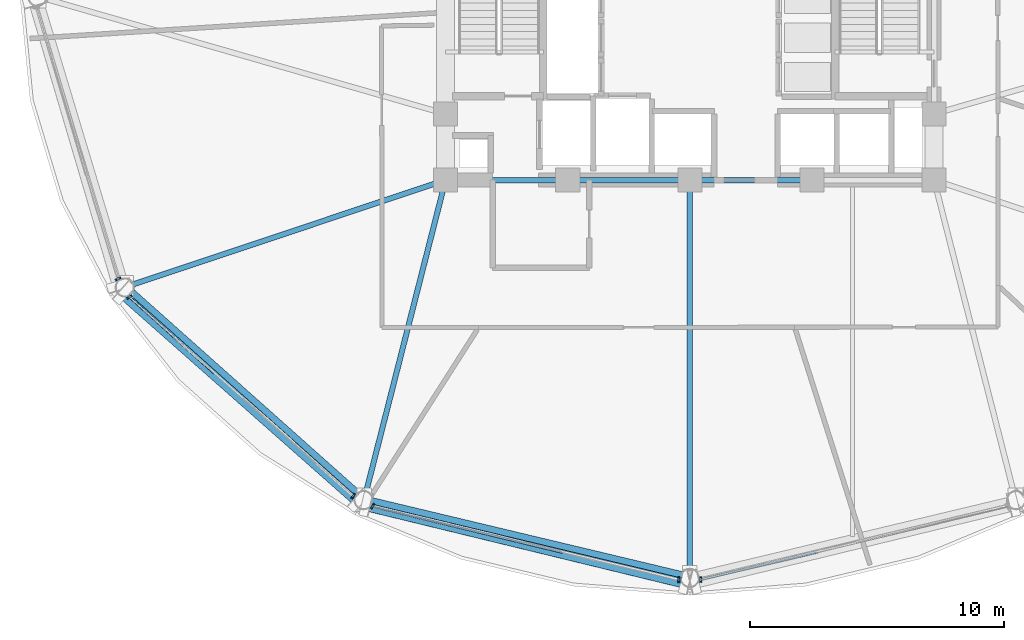
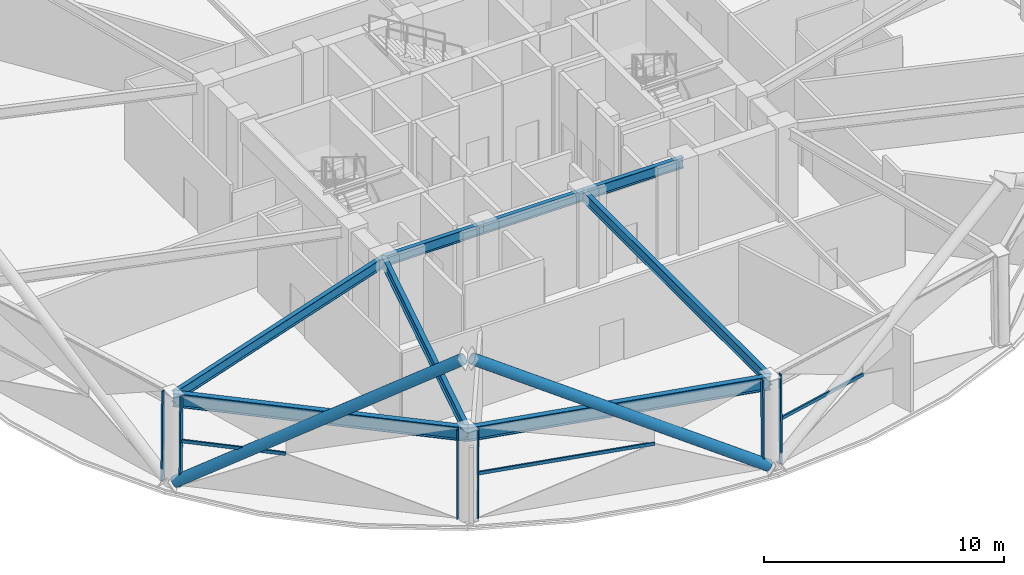
# One storey, part 2 of 17: 11 members, 8 beams, 4 elements without a shape of their own.
"""IFC4 building model written with IfcOpenShell, lengths in metres."""

from ifc_helpers import new_model, si_unit, direction, frame, origin, origin_2d, place, context, subcontext, project, spatial, hollow_rectangle, hollow_circle, i_section, extrude, material, layer, layer_set, material_profile, profile_set, type_object, element, aggregate, save


model = new_model("IFC4")

# Units and contexts
model_context = context("Model", 3, precision=1e-05, world=origin(), true_north=direction((0.0, 1.0)))
body_context = subcontext(model_context, "Body", "Model", "MODEL_VIEW")
ifc_project = project(units=[si_unit("LENGTHUNIT", "METRE"), si_unit("AREAUNIT", "SQUARE_METRE"), si_unit("VOLUMEUNIT", "CUBIC_METRE"), si_unit("PLANEANGLEUNIT", "RADIAN"), si_unit("MASSUNIT", "GRAM", prefix="KILO")], contexts=[model_context])

# Site, building, storey
site_placement = place(None, origin())
site = spatial("IfcSite", under=ifc_project, at=site_placement, CompositionType="ELEMENT")
building_placement = place(site_placement, origin())
building = spatial("IfcBuilding", under=site, at=building_placement, Name="Vantalir Tower", CompositionType="ELEMENT")
storey_placement = place(building_placement, frame((0.0, 0.0, 96.14990234375)))
storey = spatial("IfcBuildingStorey", under=building, at=storey_placement, Name="L23", CompositionType="ELEMENT", Elevation=96.14990234375)

# Beams
ifc_material_1 = material(Name="Steel S355", Category="steel")
ifc_material_profile_1 = material_profile(ifc_material_1, i_section(OverallWidth=0.2109375, OverallDepth=0.5390625, WebThickness=0.01171875, FlangeThickness=0.018798828125, at=origin_2d()), Name="Steel S355")
ifc_profile_set_1 = profile_set([ifc_material_profile_1], Name="Steel S355")
beam_type_1 = type_object("IfcBeamType", Name="BM-RB-533x210", PredefinedType="BEAM", material=ifc_profile_set_1)
for number, where, z_axis, x_axis, name in (
    (1, (21.89990234375, 17.800048828125, 4.35009765625), (1.0, 0.0, 0.0), (0.0, 1.0, 0.0), "L23 Core Coupling Girder 01"),
    (2, (26.699951171875, 17.800048828125, 4.35009765625), (1.0, 0.0, 0.0), (0.0, 1.0, 0.0), "L23 Core Coupling Girder 02"),
    (3, (31.5, 17.800048828125, 4.35009765625), (1.0, 0.0, 0.0), (0.0, 1.0, 0.0), "L23 Core Coupling Girder 03"),
):
    element("IfcBeam", number, at=place(storey_placement, frame(where, z_axis=z_axis, x_axis=x_axis)), inside=storey, type_object=beam_type_1, Name=name, PredefinedType="BEAM", context=body_context, shape_type="SweptSolid", body=[
        extrude(i_section(OverallWidth=0.2109375, OverallDepth=0.5390625, WebThickness=0.01171875, FlangeThickness=0.018798828125, at=origin_2d()), origin(), (0.0, 0.0, 1.0), 4.800048828125),
    ])
beam_1_placement = place(storey_placement, frame((9.340087890625, 13.60595703125, 4.35009765625), z_axis=(0.948513537224, 0.316736593565, 0.0), x_axis=(-0.316736593565, 0.948513537224, 0.0)))
element("IfcBeam", 4, at=beam_1_placement, inside=storey, type_object=beam_type_1, Name="L23 Radial Floor Beam 08", PredefinedType="BEAM", context=body_context, shape_type="SweptSolid", body=[
    extrude(i_section(OverallWidth=0.2109375, OverallDepth=0.5390625, WebThickness=0.01171875, FlangeThickness=0.018798828125, at=origin_2d()), origin(), (0.0, 0.0, 1.0), 13.241455078125),
])
beam_2_placement = place(storey_placement, frame((18.7060546875, 5.264892578125, 4.35009765625), z_axis=(0.246902931602, 0.969040217105, 0.0), x_axis=(-0.969040217105, 0.246902931602, 0.0)))
element("IfcBeam", 5, at=beam_2_placement, inside=storey, type_object=beam_type_1, Name="L23 Radial Floor Beam 09", PredefinedType="BEAM", context=body_context, shape_type="SweptSolid", body=[
    extrude(i_section(OverallWidth=0.2109375, OverallDepth=0.5390625, WebThickness=0.01171875, FlangeThickness=0.018798828125, at=origin_2d()), origin(), (0.0, 0.0, 1.0), 12.935546875),
])
beam_3_placement = place(storey_placement, frame((31.5, 2.2119140625, 4.35009765625), z_axis=(0.0, 1.0, 0.0), x_axis=(-1.0, 0.0, 0.0)))
element("IfcBeam", 6, at=beam_3_placement, inside=storey, type_object=beam_type_1, Name="L23 Radial Floor Beam 10", PredefinedType="BEAM", context=body_context, shape_type="SweptSolid", body=[
    extrude(i_section(OverallWidth=0.2109375, OverallDepth=0.5390625, WebThickness=0.01171875, FlangeThickness=0.018798828125, at=origin_2d()), origin(), (0.0, 0.0, 1.0), 15.588134765625),
])
ifc_material_2 = material(Name="Steel S460", Category="steel")
ifc_material_profile_2 = material_profile(ifc_material_2, i_section(OverallWidth=0.256103515625, OverallDepth=0.693115234375, WebThickness=0.014404296875, FlangeThickness=0.023681640625, at=origin_2d()), Name="Steel S460")
ifc_profile_set_2 = profile_set([ifc_material_profile_2], Name="Steel S460")
beam_type_2 = type_object("IfcBeamType", Name="BM-RG-686x254", PredefinedType="USERDEFINED", material=ifc_profile_set_2)
beam_4_placement = place(storey_placement, frame((9.340087890625, 13.60595703125, 4.273193359375), z_axis=(0.746784993974, -0.665065540211, 0.0), x_axis=(0.665065540211, 0.746784993974, 0.0)))
element("IfcBeam", 7, at=beam_4_placement, inside=storey, type_object=beam_type_2, Name="L23 Circumferential Ring Girder 08", ObjectType="GIRDER", PredefinedType="USERDEFINED", context=body_context, shape_type="SweptSolid", body=[
    extrude(i_section(OverallWidth=0.256103515625, OverallDepth=0.693115234375, WebThickness=0.014404296875, FlangeThickness=0.023681640625, at=origin_2d()), origin(), (0.0, 0.0, 1.0), 12.541748046875),
])
beam_5_placement = place(storey_placement, frame((18.7060546875, 5.264892578125, 4.273193359375), z_axis=(0.972689585219, -0.232109824883, 0.0), x_axis=(0.232109824883, 0.972689585219, 0.0)))
element("IfcBeam", 8, at=beam_5_placement, inside=storey, type_object=beam_type_2, Name="L23 Circumferential Ring Girder 09", ObjectType="GIRDER", PredefinedType="USERDEFINED", context=body_context, shape_type="SweptSolid", body=[
    extrude(i_section(OverallWidth=0.256103515625, OverallDepth=0.693115234375, WebThickness=0.014404296875, FlangeThickness=0.023681640625, at=origin_2d()), origin(), (0.0, 0.0, 1.0), 13.153076171875),
])

# Curtain wall, member
ifc_material_3 = material(Name="Champagne-silver PVDF aluminium and double-silver Low-E glass", Category="aluminium")
ifc_layer = layer(ifc_material_3, 0.22998046875)
ifc_layer_set = layer_set([ifc_layer], Name="Champagne-silver PVDF aluminium and double-silver Low-E glass")
curtain_wall_type = type_object("IfcCurtainWallType", Name="CW-SKYLOBBY", PredefinedType="USERDEFINED", material=ifc_layer_set)
curtain_wall_1_placement = place(storey_placement, origin())
curtain_wall_1 = element("IfcCurtainWall", 9, at=curtain_wall_1_placement, inside=storey, type_object=curtain_wall_type, Name="L23 Quilted Pyramid-Diamond Curtain Wall S07", ObjectType="UNITISED CURTAIN WALL", PredefinedType="USERDEFINED")
ifc_material_4 = material(Name="Champagne-silver PVDF aluminium 6063-T6", Category="aluminium")
ifc_material_profile_3 = material_profile(ifc_material_4, hollow_rectangle(XDim=0.074951171875, YDim=0.179931640625, WallThickness=0.00390625, at=origin_2d()), Name="Champagne-silver PVDF aluminium 6063-T6")
ifc_profile_set_3 = profile_set([ifc_material_profile_3], Name="Champagne-silver PVDF aluminium 6063-T6")
member_type_1 = type_object("IfcMemberType", Name="CWM-180x75", PredefinedType="MULLION", material=ifc_profile_set_3)
member_1_placement = place(storey_placement, frame((8.9951171875, 13.904052734375, 0.045166015625), z_axis=(0.011909466772, 0.006143344851, 0.999910207926), x_axis=(-0.458438038271, 0.888726372438, 0.0)))
member_1 = element("IfcMember", 10, at=member_1_placement, type_object=member_type_1, Name="CW-L23-S07 Mullion 2", PredefinedType="MULLION", context=body_context, shape_type="SweptSolid", body=[
    extrude(hollow_rectangle(XDim=0.074951171875, YDim=0.179931640625, WallThickness=0.00390625, at=origin_2d()), origin(), (0.0, 0.0, 1.0), 4.530517578125),
])
aggregate(curtain_wall_1, [member_1])

# Curtain wall, members
curtain_wall_2_placement = place(storey_placement, origin())
curtain_wall_2 = element("IfcCurtainWall", 11, at=curtain_wall_2_placement, inside=storey, type_object=curtain_wall_type, Name="L23 Quilted Pyramid-Diamond Curtain Wall S08", ObjectType="UNITISED CURTAIN WALL", PredefinedType="USERDEFINED")
member_2_placement = place(storey_placement, frame((9.449951171875, 13.18994140625, 0.045166015625), z_axis=(0.011909462812, 0.00619723178, 0.999909875446), x_axis=(-0.461605486228, 0.887085325707, 0.0)))
member_2 = element("IfcMember", 12, at=member_2_placement, type_object=member_type_1, Name="CW-L23-S08 Mullion 1", PredefinedType="MULLION", context=body_context, shape_type="SweptSolid", body=[
    extrude(hollow_rectangle(XDim=0.074951171875, YDim=0.179931640625, WallThickness=0.00390625, at=origin_2d()), origin(), (0.0, 0.0, 1.0), 4.530517578125),
])
member_3_placement = place(storey_placement, frame((18.251953125, 5.345947265625, 0.045166015625), z_axis=(0.006843985782, 0.010400702802, 0.999922489616), x_axis=(-0.835364778861, 0.54969599438, 0.0)))
member_3 = element("IfcMember", 13, at=member_3_placement, type_object=member_type_1, Name="CW-L23-S08 Mullion 2", PredefinedType="MULLION", context=body_context, shape_type="SweptSolid", body=[
    extrude(hollow_rectangle(XDim=0.074951171875, YDim=0.179931640625, WallThickness=0.00390625, at=origin_2d()), origin(), (0.0, 0.0, 1.0), 4.5302734375),
])

curtain_wall_3_placement = place(storey_placement, origin())
curtain_wall_3 = element("IfcCurtainWall", 14, at=curtain_wall_3_placement, inside=storey, type_object=curtain_wall_type, Name="L23 Quilted Pyramid-Diamond Curtain Wall S09", ObjectType="UNITISED CURTAIN WALL", PredefinedType="USERDEFINED")
member_4_placement = place(storey_placement, frame((19.008056640625, 4.950927734375, 0.045166015625), z_axis=(0.006843985782, 0.010400702802, 0.999922489616), x_axis=(-0.835364778861, 0.54969599438, 0.0)))
member_4 = element("IfcMember", 15, at=member_4_placement, type_object=member_type_1, Name="CW-L23-S09 Mullion 1", PredefinedType="MULLION", context=body_context, shape_type="SweptSolid", body=[
    extrude(hollow_rectangle(XDim=0.074951171875, YDim=0.179931640625, WallThickness=0.00390625, at=origin_2d()), origin(), (0.0, 0.0, 1.0), 4.5302734375),
])
member_5_placement = place(storey_placement, frame((31.072021484375, 2.069091796875, 0.045166015625), z_axis=(0.0, 0.012125220131, 0.999926486816), x_axis=(-1.0, 0.0, 0.0)))
member_5 = element("IfcMember", 16, at=member_5_placement, type_object=member_type_1, Name="CW-L23-S09 Mullion 2", PredefinedType="MULLION", context=body_context, shape_type="SweptSolid", body=[
    extrude(hollow_rectangle(XDim=0.074951171875, YDim=0.179931640625, WallThickness=0.00390625, at=origin_2d()), origin(), (0.0, 0.0, 1.0), 4.5302734375),
])

# Curtain wall, member
curtain_wall_4_placement = place(storey_placement, origin())
curtain_wall_4 = element("IfcCurtainWall", 17, at=curtain_wall_4_placement, inside=storey, type_object=curtain_wall_type, Name="L23 Quilted Pyramid-Diamond Curtain Wall S10", ObjectType="UNITISED CURTAIN WALL", PredefinedType="USERDEFINED")
member_6_placement = place(storey_placement, frame((31.927978515625, 2.069091796875, 0.045166015625), z_axis=(0.0, 0.012125220131, 0.999926486816), x_axis=(-1.0, 0.0, 0.0)))
member_6 = element("IfcMember", 18, at=member_6_placement, type_object=member_type_1, Name="CW-L23-S10 Mullion 1", PredefinedType="MULLION", context=body_context, shape_type="SweptSolid", body=[
    extrude(hollow_rectangle(XDim=0.074951171875, YDim=0.179931640625, WallThickness=0.00390625, at=origin_2d()), origin(), (0.0, 0.0, 1.0), 4.5302734375),
])

# Member
ifc_material_profile_4 = material_profile(ifc_material_4, hollow_rectangle(XDim=0.074951171875, YDim=0.159912109375, WallThickness=0.00390625, at=origin_2d()), Name="Champagne-silver PVDF aluminium 6063-T6")
ifc_profile_set_4 = profile_set([ifc_material_profile_4], Name="Champagne-silver PVDF aluminium 6063-T6")
member_type_2 = type_object("IfcMemberType", Name="CWT-160x75", PredefinedType="USERDEFINED", material=ifc_profile_set_4)
member_7_placement = place(storey_placement, frame((9.47705078125, 13.2041015625, 2.31005859375), z_axis=(0.743030710304, -0.66925732237, 0.0), x_axis=(0.66925732237, 0.743030710304, 0.0)))
member_7 = element("IfcMember", 19, at=member_7_placement, type_object=member_type_2, Name="CW-L23-S08 Pyramid Fold Ridge Transom", ObjectType="TRANSOM", PredefinedType="USERDEFINED", context=body_context, shape_type="SweptSolid", body=[
    extrude(hollow_rectangle(XDim=0.074951171875, YDim=0.159912109375, WallThickness=0.00390625, at=origin_2d()), origin(), (0.0, 0.0, 1.0), 4.470947265625),
])

aggregate(curtain_wall_2, [member_2, member_3, member_7])

member_8_placement = place(storey_placement, frame((19.02294921875, 4.97412109375, 2.31005859375), z_axis=(0.971927244694, -0.235281599412, 0.0), x_axis=(0.235281599412, 0.971927244694, 0.0)))
member_8 = element("IfcMember", 20, at=member_8_placement, type_object=member_type_2, Name="CW-L23-S09 Pyramid Fold Ridge Transom", ObjectType="TRANSOM", PredefinedType="USERDEFINED", context=body_context, shape_type="SweptSolid", body=[
    extrude(hollow_rectangle(XDim=0.074951171875, YDim=0.159912109375, WallThickness=0.00390625, at=origin_2d()), origin(), (0.0, 0.0, 1.0), 7.6806640625),
])

aggregate(curtain_wall_3, [member_4, member_5, member_8])

member_9_placement = place(storey_placement, frame((31.927978515625, 2.096923828125, 2.31005859375), z_axis=(0.973819016239, 0.227324709639, 0.0), x_axis=(-0.227324709639, 0.973819016239, 0.0)))
member_9 = element("IfcMember", 21, at=member_9_placement, type_object=member_type_2, Name="CW-L23-S10 Pyramid Fold Ridge Transom", ObjectType="TRANSOM", PredefinedType="USERDEFINED", context=body_context, shape_type="SweptSolid", body=[
    extrude(hollow_rectangle(XDim=0.074951171875, YDim=0.159912109375, WallThickness=0.00390625, at=origin_2d()), origin(), (0.0, 0.0, 1.0), 4.707275390625),
])

aggregate(curtain_wall_4, [member_6, member_9])

# Members
ifc_material_profile_5 = material_profile(ifc_material_2, hollow_circle(Radius=0.260009765625, WallThickness=0.0380859375, at=origin_2d()), Name="Steel S460")
ifc_profile_set_5 = profile_set([ifc_material_profile_5], Name="Steel S460")
member_type_3 = type_object("IfcMemberType", Name="MEM-DB-520x38", PredefinedType="BRACE", material=ifc_profile_set_5)
member_10_placement = place(storey_placement, frame((9.260009765625, 13.361083984375, 0.2001953125), z_axis=(0.628835175893, -0.555546615802, 0.543998418408), x_axis=(0.662085240215, 0.749428538747, 0.0)))
element("IfcMember", 22, at=member_10_placement, inside=storey, type_object=member_type_3, Name="L23 Perimeter S460 Diagrid Brace R22L", PredefinedType="BRACE", context=body_context, shape_type="SweptSolid", body=[
    extrude(hollow_circle(Radius=0.260009765625, WallThickness=0.0380859375, at=origin_2d()), origin(), (0.0, 0.0, 1.0), 14.650634765625),
])
member_11_placement = place(storey_placement, frame((31.318115234375, 2.010986328125, 0.196044921875), z_axis=(-0.826243440353, 0.200863656864, 0.526284684012), x_axis=(-0.236224467556, -0.971698513392, 0.0)))
element("IfcMember", 23, at=member_11_placement, inside=storey, type_object=member_type_3, Name="L23 Perimeter S460 Diagrid Brace R28R", PredefinedType="BRACE", context=body_context, shape_type="SweptSolid", body=[
    extrude(hollow_circle(Radius=0.260009765625, WallThickness=0.0380859375, at=origin_2d()), origin(), (0.0, 0.0, 1.0), 15.1591796875),
])

save(model, "model.ifc")
